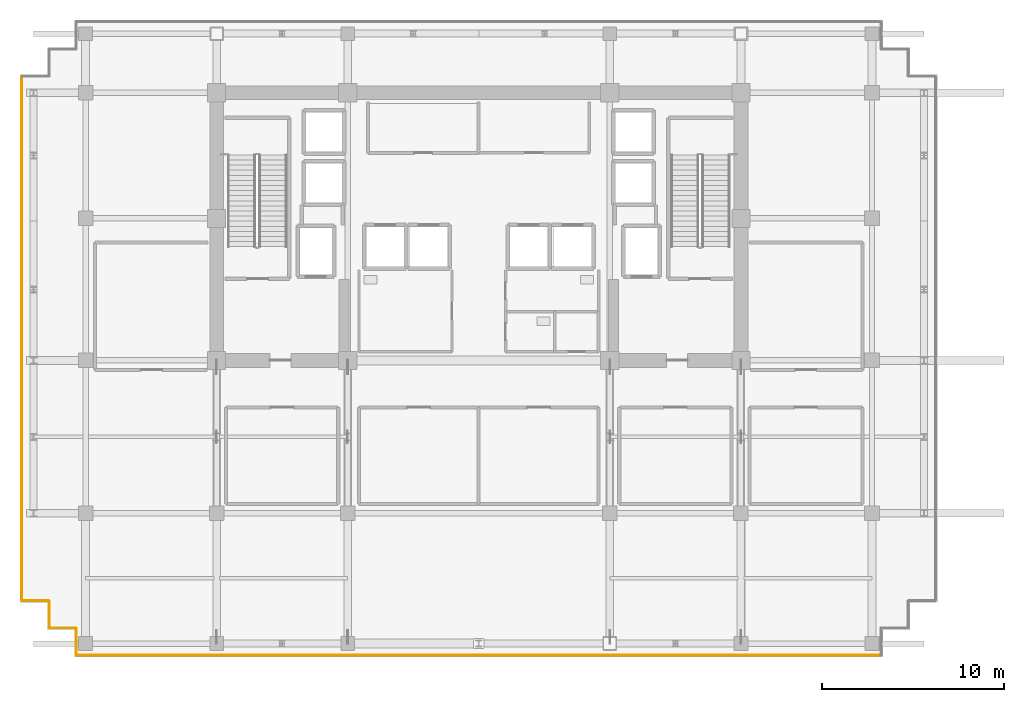
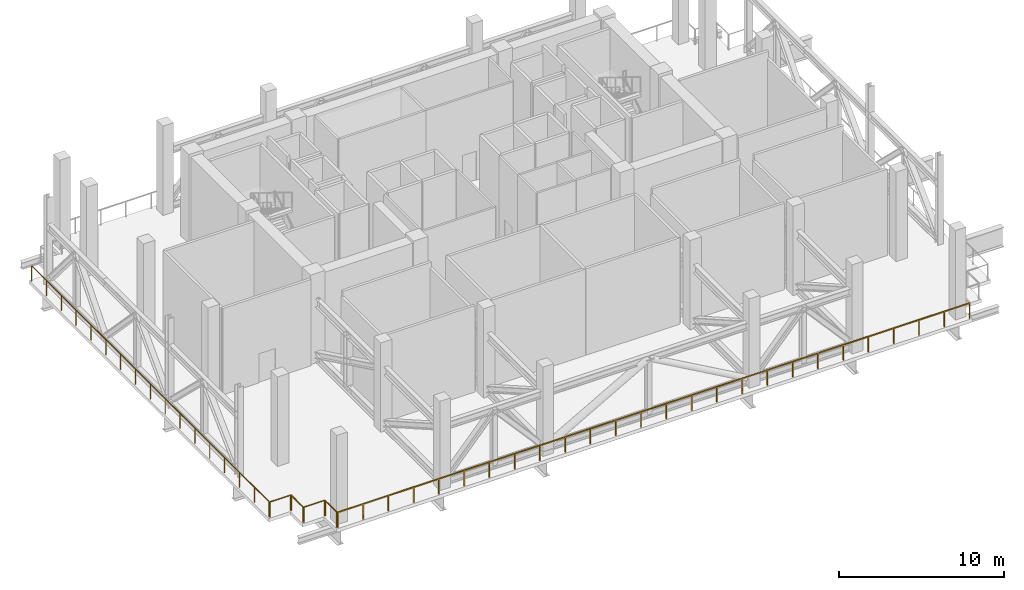
# One storey, part 9 of 13: 6 railings.
"""IFC4 building model written with IfcOpenShell, lengths in metres."""

from ifc_helpers import new_model, si_unit, direction, frame, origin, origin_2d, place, context, subcontext, project, spatial, rectangle, extrude, material, type_object, element, save


model = new_model("IFC4")

# Units and contexts
model_context = context("Model", 3, precision=1e-05, world=origin(), true_north=direction((0.0, 1.0)))
body_context = subcontext(model_context, "Body", "Model", "MODEL_VIEW")
ifc_project = project(units=[si_unit("LENGTHUNIT", "METRE"), si_unit("AREAUNIT", "SQUARE_METRE"), si_unit("VOLUMEUNIT", "CUBIC_METRE"), si_unit("PLANEANGLEUNIT", "RADIAN"), si_unit("MASSUNIT", "GRAM", prefix="KILO")], contexts=[model_context])

# Site, building, storey
site_placement = place(None, origin())
site = spatial("IfcSite", under=ifc_project, at=site_placement, CompositionType="ELEMENT")
building_placement = place(site_placement, origin())
building = spatial("IfcBuilding", under=site, at=building_placement, Name="Zarnakvel Exchange Tower", CompositionType="ELEMENT")
storey_placement = place(building_placement, frame((0.0, 0.0, 139.60009765625)))
storey = spatial("IfcBuildingStorey", under=building, at=storey_placement, Name="L39", CompositionType="ELEMENT", Elevation=139.60009765625)

# Railings
ifc_material = material(Name="Architectural Bronze Anodised Aluminium", Category="aluminium")
railing_type = type_object("IfcRailingType", Name="GR-01", PredefinedType="GUARDRAIL", material=ifc_material)
railing_1_placement = place(storey_placement, frame((-25.10009765625, -14.360107421875, 0.0)))
element("IfcRailing", 1, at=railing_1_placement, inside=storey, type_object=railing_type, Name="L39 Perimeter Guardrail GR-L39-PERIM-01 (GR-01)", PredefinedType="GUARDRAIL", context=body_context, shape_type="SweptSolid", body=[
    extrude(rectangle(XDim=0.048095703125, YDim=0.048095703125, at=origin_2d()), frame((0.0, 0.0, 1.1259765625), z_axis=(0.0, 1.0, 0.0), x_axis=(-1.0, 0.0, 0.0)), (0.0, 0.0, 1.0), 28.72021484375),
    extrude(rectangle(XDim=0.0419921875, YDim=0.0419921875, at=origin_2d()), origin(), (0.0, 0.0, 1.0), 1.101806640625),
    extrude(rectangle(XDim=0.0419921875, YDim=0.0419921875, at=origin_2d()), frame((0.0, 1.794921875, 0.0)), (0.0, 0.0, 1.0), 1.101806640625),
    extrude(rectangle(XDim=0.0419921875, YDim=0.0419921875, at=origin_2d()), frame((0.0, 3.590087890625, 0.0)), (0.0, 0.0, 1.0), 1.101806640625),
    extrude(rectangle(XDim=0.0419921875, YDim=0.0419921875, at=origin_2d()), frame((0.0, 5.385009765625, 0.0)), (0.0, 0.0, 1.0), 1.101806640625),
    extrude(rectangle(XDim=0.0419921875, YDim=0.0419921875, at=origin_2d()), frame((0.0, 7.18017578125, 0.0)), (0.0, 0.0, 1.0), 1.101806640625),
    extrude(rectangle(XDim=0.0419921875, YDim=0.0419921875, at=origin_2d()), frame((0.0, 8.97509765625, 0.0)), (0.0, 0.0, 1.0), 1.101806640625),
    extrude(rectangle(XDim=0.0419921875, YDim=0.0419921875, at=origin_2d()), frame((0.0, 10.77001953125, 0.0)), (0.0, 0.0, 1.0), 1.101806640625),
    extrude(rectangle(XDim=0.0419921875, YDim=0.0419921875, at=origin_2d()), frame((0.0, 12.565185546875, 0.0)), (0.0, 0.0, 1.0), 1.101806640625),
    extrude(rectangle(XDim=0.0419921875, YDim=0.0419921875, at=origin_2d()), frame((0.0, 14.360107421875, 0.0)), (0.0, 0.0, 1.0), 1.101806640625),
    extrude(rectangle(XDim=0.0419921875, YDim=0.0419921875, at=origin_2d()), frame((0.0, 16.155029296875, 0.0)), (0.0, 0.0, 1.0), 1.101806640625),
    extrude(rectangle(XDim=0.0419921875, YDim=0.0419921875, at=origin_2d()), frame((0.0, 17.9501953125, 0.0)), (0.0, 0.0, 1.0), 1.101806640625),
    extrude(rectangle(XDim=0.0419921875, YDim=0.0419921875, at=origin_2d()), frame((0.0, 19.7451171875, 0.0)), (0.0, 0.0, 1.0), 1.101806640625),
    extrude(rectangle(XDim=0.0419921875, YDim=0.0419921875, at=origin_2d()), frame((0.0, 21.5400390625, 0.0)), (0.0, 0.0, 1.0), 1.101806640625),
    extrude(rectangle(XDim=0.0419921875, YDim=0.0419921875, at=origin_2d()), frame((0.0, 23.335205078125, 0.0)), (0.0, 0.0, 1.0), 1.101806640625),
    extrude(rectangle(XDim=0.0419921875, YDim=0.0419921875, at=origin_2d()), frame((0.0, 25.130126953125, 0.0)), (0.0, 0.0, 1.0), 1.101806640625),
    extrude(rectangle(XDim=0.0419921875, YDim=0.0419921875, at=origin_2d()), frame((0.0, 26.92529296875, 0.0)), (0.0, 0.0, 1.0), 1.101806640625),
    extrude(rectangle(XDim=0.0419921875, YDim=0.0419921875, at=origin_2d()), frame((0.0, 28.72021484375, 0.0)), (0.0, 0.0, 1.0), 1.101806640625),
])
railing_2_placement = place(storey_placement, frame((22.06005859375, -17.39990234375, 0.0)))
element("IfcRailing", 2, at=railing_2_placement, inside=storey, type_object=railing_type, Name="L39 Perimeter Guardrail GR-L39-PERIM-16 (GR-01)", PredefinedType="GUARDRAIL", context=body_context, shape_type="SweptSolid", body=[
    extrude(rectangle(XDim=0.048095703125, YDim=0.048095703125, at=origin_2d()), frame((0.0, 0.0, 1.1259765625), z_axis=(-1.0, 0.0, 0.0), x_axis=(0.0, -1.0, 0.0)), (0.0, 0.0, 1.0), 44.1201171875),
    extrude(rectangle(XDim=0.0419921875, YDim=0.0419921875, at=origin_2d()), origin(), (0.0, 0.0, 1.0), 1.101806640625),
    extrude(rectangle(XDim=0.0419921875, YDim=0.0419921875, at=origin_2d()), frame((-1.764892578125, 0.0, 0.0)), (0.0, 0.0, 1.0), 1.101806640625),
    extrude(rectangle(XDim=0.0419921875, YDim=0.0419921875, at=origin_2d()), frame((-3.529541015625, 0.0, 0.0)), (0.0, 0.0, 1.0), 1.101806640625),
    extrude(rectangle(XDim=0.0419921875, YDim=0.0419921875, at=origin_2d()), frame((-5.29443359375, 0.0, 0.0)), (0.0, 0.0, 1.0), 1.101806640625),
    extrude(rectangle(XDim=0.0419921875, YDim=0.0419921875, at=origin_2d()), frame((-7.059326171875, 0.0, 0.0)), (0.0, 0.0, 1.0), 1.101806640625),
    extrude(rectangle(XDim=0.0419921875, YDim=0.0419921875, at=origin_2d()), frame((-8.823974609375, 0.0, 0.0)), (0.0, 0.0, 1.0), 1.101806640625),
    extrude(rectangle(XDim=0.0419921875, YDim=0.0419921875, at=origin_2d()), frame((-10.5888671875, 0.0, 0.0)), (0.0, 0.0, 1.0), 1.101806640625),
    extrude(rectangle(XDim=0.0419921875, YDim=0.0419921875, at=origin_2d()), frame((-12.353515625, 0.0, 0.0)), (0.0, 0.0, 1.0), 1.101806640625),
    extrude(rectangle(XDim=0.0419921875, YDim=0.0419921875, at=origin_2d()), frame((-14.118408203125, 0.0, 0.0)), (0.0, 0.0, 1.0), 1.101806640625),
    extrude(rectangle(XDim=0.0419921875, YDim=0.0419921875, at=origin_2d()), frame((-15.88330078125, 0.0, 0.0)), (0.0, 0.0, 1.0), 1.101806640625),
    extrude(rectangle(XDim=0.0419921875, YDim=0.0419921875, at=origin_2d()), frame((-17.64794921875, 0.0, 0.0)), (0.0, 0.0, 1.0), 1.101806640625),
    extrude(rectangle(XDim=0.0419921875, YDim=0.0419921875, at=origin_2d()), frame((-19.412841796875, 0.0, 0.0)), (0.0, 0.0, 1.0), 1.101806640625),
    extrude(rectangle(XDim=0.0419921875, YDim=0.0419921875, at=origin_2d()), frame((-21.177734375, 0.0, 0.0)), (0.0, 0.0, 1.0), 1.101806640625),
    extrude(rectangle(XDim=0.0419921875, YDim=0.0419921875, at=origin_2d()), frame((-22.9423828125, 0.0, 0.0)), (0.0, 0.0, 1.0), 1.101806640625),
    extrude(rectangle(XDim=0.0419921875, YDim=0.0419921875, at=origin_2d()), frame((-24.707275390625, 0.0, 0.0)), (0.0, 0.0, 1.0), 1.101806640625),
    extrude(rectangle(XDim=0.0419921875, YDim=0.0419921875, at=origin_2d()), frame((-26.47216796875, 0.0, 0.0)), (0.0, 0.0, 1.0), 1.101806640625),
    extrude(rectangle(XDim=0.0419921875, YDim=0.0419921875, at=origin_2d()), frame((-28.23681640625, 0.0, 0.0)), (0.0, 0.0, 1.0), 1.101806640625),
    extrude(rectangle(XDim=0.0419921875, YDim=0.0419921875, at=origin_2d()), frame((-30.001708984375, 0.0, 0.0)), (0.0, 0.0, 1.0), 1.101806640625),
    extrude(rectangle(XDim=0.0419921875, YDim=0.0419921875, at=origin_2d()), frame((-31.7666015625, 0.0, 0.0)), (0.0, 0.0, 1.0), 1.101806640625),
    extrude(rectangle(XDim=0.0419921875, YDim=0.0419921875, at=origin_2d()), frame((-33.53125, 0.0, 0.0)), (0.0, 0.0, 1.0), 1.101806640625),
    extrude(rectangle(XDim=0.0419921875, YDim=0.0419921875, at=origin_2d()), frame((-35.296142578125, 0.0, 0.0)), (0.0, 0.0, 1.0), 1.101806640625),
    extrude(rectangle(XDim=0.0419921875, YDim=0.0419921875, at=origin_2d()), frame((-37.060791015625, 0.0, 0.0)), (0.0, 0.0, 1.0), 1.101806640625),
    extrude(rectangle(XDim=0.0419921875, YDim=0.0419921875, at=origin_2d()), frame((-38.82568359375, 0.0, 0.0)), (0.0, 0.0, 1.0), 1.101806640625),
    extrude(rectangle(XDim=0.0419921875, YDim=0.0419921875, at=origin_2d()), frame((-40.590576171875, 0.0, 0.0)), (0.0, 0.0, 1.0), 1.101806640625),
    extrude(rectangle(XDim=0.0419921875, YDim=0.0419921875, at=origin_2d()), frame((-42.355224609375, 0.0, 0.0)), (0.0, 0.0, 1.0), 1.101806640625),
    extrude(rectangle(XDim=0.0419921875, YDim=0.0419921875, at=origin_2d()), frame((-44.1201171875, 0.0, 0.0)), (0.0, 0.0, 1.0), 1.101806640625),
])
railing_3_placement = place(storey_placement, frame((-22.10009765625, -17.360107421875, 0.0)))
element("IfcRailing", 3, at=railing_3_placement, inside=storey, type_object=railing_type, Name="L39 Perimeter Guardrail GR-L39-PERIM-17 (GR-01)", PredefinedType="GUARDRAIL", context=body_context, shape_type="SweptSolid", body=[
    extrude(rectangle(XDim=0.048095703125, YDim=0.048095703125, at=origin_2d()), frame((0.0, 0.0, 1.1259765625), z_axis=(0.0, 1.0, 0.0), x_axis=(-1.0, 0.0, 0.0)), (0.0, 0.0, 1.0), 1.420166015625),
    extrude(rectangle(XDim=0.0419921875, YDim=0.0419921875, at=origin_2d()), origin(), (0.0, 0.0, 1.0), 1.101806640625),
    extrude(rectangle(XDim=0.0419921875, YDim=0.0419921875, at=origin_2d()), frame((0.0, 1.420166015625, 0.0)), (0.0, 0.0, 1.0), 1.101806640625),
])
railing_4_placement = place(storey_placement, frame((-22.139892578125, -15.89990234375, 0.0)))
element("IfcRailing", 4, at=railing_4_placement, inside=storey, type_object=railing_type, Name="L39 Perimeter Guardrail GR-L39-PERIM-18 (GR-01)", PredefinedType="GUARDRAIL", context=body_context, shape_type="SweptSolid", body=[
    extrude(rectangle(XDim=0.048095703125, YDim=0.048095703125, at=origin_2d()), frame((0.0, 0.0, 1.1259765625), z_axis=(-1.0, 0.0, 0.0), x_axis=(0.0, -1.0, 0.0)), (0.0, 0.0, 1.0), 1.420166015625),
    extrude(rectangle(XDim=0.0419921875, YDim=0.0419921875, at=origin_2d()), origin(), (0.0, 0.0, 1.0), 1.101806640625),
    extrude(rectangle(XDim=0.0419921875, YDim=0.0419921875, at=origin_2d()), frame((-1.420166015625, 0.0, 0.0)), (0.0, 0.0, 1.0), 1.101806640625),
])
railing_5_placement = place(storey_placement, frame((-23.60009765625, -15.860107421875, 0.0)))
element("IfcRailing", 5, at=railing_5_placement, inside=storey, type_object=railing_type, Name="L39 Perimeter Guardrail GR-L39-PERIM-19 (GR-01)", PredefinedType="GUARDRAIL", context=body_context, shape_type="SweptSolid", body=[
    extrude(rectangle(XDim=0.048095703125, YDim=0.048095703125, at=origin_2d()), frame((0.0, 0.0, 1.1259765625), z_axis=(0.0, 1.0, 0.0), x_axis=(-1.0, 0.0, 0.0)), (0.0, 0.0, 1.0), 1.420166015625),
    extrude(rectangle(XDim=0.0419921875, YDim=0.0419921875, at=origin_2d()), origin(), (0.0, 0.0, 1.0), 1.101806640625),
    extrude(rectangle(XDim=0.0419921875, YDim=0.0419921875, at=origin_2d()), frame((0.0, 1.420166015625, 0.0)), (0.0, 0.0, 1.0), 1.101806640625),
])
railing_6_placement = place(storey_placement, frame((-23.639892578125, -14.39990234375, 0.0)))
element("IfcRailing", 6, at=railing_6_placement, inside=storey, type_object=railing_type, Name="L39 Perimeter Guardrail GR-L39-PERIM-20 (GR-01)", PredefinedType="GUARDRAIL", context=body_context, shape_type="SweptSolid", body=[
    extrude(rectangle(XDim=0.048095703125, YDim=0.048095703125, at=origin_2d()), frame((0.0, 0.0, 1.1259765625), z_axis=(-1.0, 0.0, 0.0), x_axis=(0.0, -1.0, 0.0)), (0.0, 0.0, 1.0), 1.420166015625),
    extrude(rectangle(XDim=0.0419921875, YDim=0.0419921875, at=origin_2d()), origin(), (0.0, 0.0, 1.0), 1.101806640625),
    extrude(rectangle(XDim=0.0419921875, YDim=0.0419921875, at=origin_2d()), frame((-1.420166015625, 0.0, 0.0)), (0.0, 0.0, 1.0), 1.101806640625),
])

save(model, "model.ifc")
